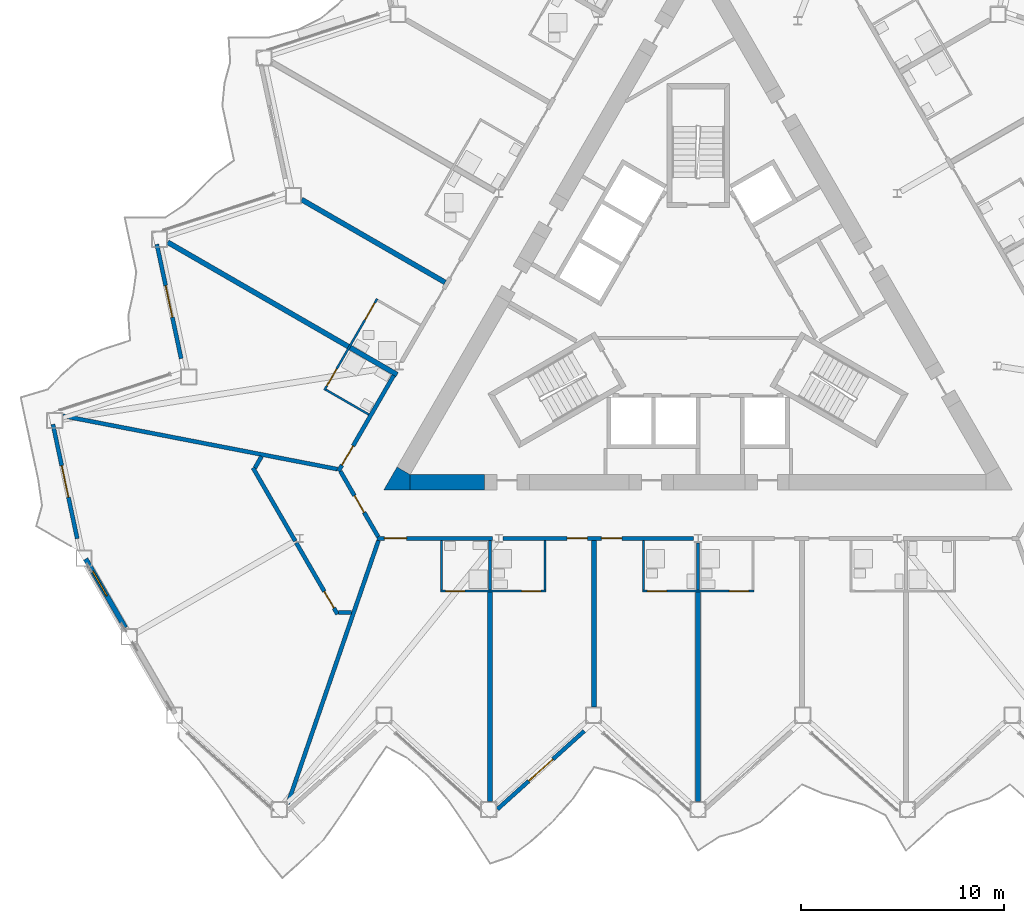
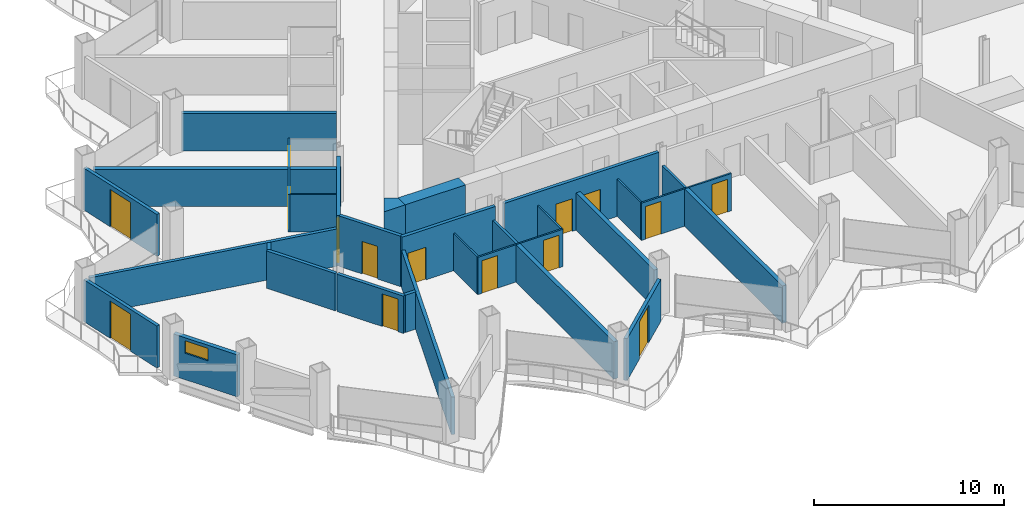
# One storey, part 10 of 23: 30 walls, 15 doors, 1 window, 16 openings.
"""IFC4 building model written with IfcOpenShell, lengths in metres."""

from ifc_helpers import new_model, si_unit, direction, frame, frame_2d, origin, place, context, subcontext, project, spatial, polyline, rectangle, outline, extrude, material, layer, layer_set, type_object, element, fill, save


model = new_model("IFC4")

# Units and contexts
model_context = context("Model", 3, precision=1e-05, world=origin(), true_north=direction((0.0, 1.0)))
body_context = subcontext(model_context, "Body", "Model", "MODEL_VIEW")
ifc_project = project(units=[si_unit("LENGTHUNIT", "METRE"), si_unit("AREAUNIT", "SQUARE_METRE"), si_unit("VOLUMEUNIT", "CUBIC_METRE"), si_unit("PLANEANGLEUNIT", "RADIAN"), si_unit("MASSUNIT", "GRAM", prefix="KILO")], contexts=[model_context])

# Site, building, storey
site_placement = place(None, origin())
site = spatial("IfcSite", under=ifc_project, at=site_placement, CompositionType="ELEMENT")
building_placement = place(site_placement, origin())
building = spatial("IfcBuilding", under=site, at=building_placement, Name="Cormorant Prow Tower", CompositionType="ELEMENT")
storey_placement = place(building_placement, frame((0.0, 0.0, 180.0)))
storey = spatial("IfcBuildingStorey", under=building, at=storey_placement, Name="L38", CompositionType="ELEMENT", Elevation=180.0)

# Walls
ifc_material_1 = material(Name="Concrete 8000 psi", Category="concrete")
ifc_layer_1 = layer(ifc_material_1, 0.75)
ifc_layer_set_1 = layer_set([ifc_layer_1], Name="Concrete 8000 psi")
wall_type_1 = type_object("IfcWallType", Name="Core shear wall 750", PredefinedType="SHEAR", material=ifc_layer_set_1)
wall_1_placement = place(storey_placement, frame((-14.200927734375, -8.573974609375, 0.0), z_axis=(0.0, 0.0, 1.0), x_axis=(1.0, 0.0, 0.0)))
element("IfcWall", 1, at=wall_1_placement, inside=storey, type_object=wall_type_1, Name="Core wall", PredefinedType="SHEAR", context=body_context, shape_type="SweptSolid", body=[
    extrude(rectangle(XDim=3.675537109375, YDim=0.75, at=frame_2d((1.837890625, 0.0))), origin(), (0.0, 0.0, 1.0), 3.25),
])
wall_2_placement = place(storey_placement, origin())
element("IfcWall", 2, at=wall_2_placement, inside=storey, type_object=wall_type_1, Name="Core wall corner", PredefinedType="SHEAR", context=body_context, shape_type="SweptSolid", body=[
    extrude(outline(polyline([(-14.8505859375, -7.823974609375), (-14.200927734375, -8.198974609375), (-14.200927734375, -8.948974609375), (-15.5, -8.948974609375), (-14.8505859375, -7.823974609375)])), origin(), (0.0, 0.0, 1.0), 3.25),
])

# Wall, openings, doors
ifc_material_2 = material(Name="Gypsum board corridor wall")
ifc_layer_2 = layer(ifc_material_2, 0.199951171875)
ifc_layer_set_2 = layer_set([ifc_layer_2], Name="Gypsum board corridor wall")
wall_type_2 = type_object("IfcWallType", Name="Corridor wall 200", PredefinedType="PARTITIONING", material=ifc_layer_set_2)
wall_3_placement = place(storey_placement, frame((-9.61474609375, -11.348876953125, 0.0), z_axis=(0.0, 0.0, 1.0), x_axis=(1.0, 0.0, 0.0)))
wall_3 = element("IfcWall", 3, at=wall_3_placement, inside=storey, type_object=wall_type_2, Name="Corridor wall", PredefinedType="PARTITIONING", context=body_context, shape_type="SweptSolid", body=[
    extrude(rectangle(XDim=9.401123046875, YDim=0.199951171875, at=frame_2d((4.70068359375, 0.0))), origin(), (0.0, 0.0, 1.0), 3.25),
])
opening_1_placement = place(wall_3_placement, frame((3.150390625, 0.0, 0.0)))
opening_1 = element("IfcOpeningElement", 4, at=opening_1_placement, cuts=wall_3, Name="Opening L38-F03", PredefinedType="OPENING", context=body_context, shape_type="SweptSolid", body=[
    extrude(rectangle(XDim=1.0, YDim=2.10009765625, at=frame_2d((0.5, 1.050048828125))), frame((0.0, 0.10986328125, 0.0), z_axis=(0.0, -1.0, 0.0), x_axis=(1.0, 0.0, 0.0)), (0.0, 0.0, 1.0), 0.219970703125),
])
opening_2_placement = place(wall_3_placement, frame((4.8505859375, 0.0, 0.0)))
opening_2 = element("IfcOpeningElement", 5, at=opening_2_placement, cuts=wall_3, Name="Opening L38-F05", PredefinedType="OPENING", context=body_context, shape_type="SweptSolid", body=[
    extrude(rectangle(XDim=1.0, YDim=2.10009765625, at=frame_2d((0.5, 1.050048828125))), frame((0.0, 0.10986328125, 0.0), z_axis=(0.0, -1.0, 0.0), x_axis=(1.0, 0.0, 0.0)), (0.0, 0.0, 1.0), 0.219970703125),
])
ifc_material_3 = material(Name="Timber door leaf", Category="wood")
door_type_1 = type_object("IfcDoorType", Name="Flat or room entrance door 1000x2100", OperationType="NOTDEFINED", PredefinedType="DOOR", material=ifc_material_3)
door_1_placement = place(opening_1_placement, origin())
door_1 = element("IfcDoor", 6, at=door_1_placement, inside=storey, type_object=door_type_1, Name="Guest room door", OperationType="SINGLE_SWING_RIGHT", OverallHeight=2.10009765625, OverallWidth=1.0, PredefinedType="DOOR", context=body_context, shape_type="SweptSolid", body=[
    extrude(rectangle(XDim=1.0, YDim=2.10009765625, at=frame_2d((0.5, 1.050048828125))), frame((0.0, 0.02490234375, 0.0), z_axis=(0.0, -1.0, 0.0), x_axis=(1.0, 0.0, 0.0)), (0.0, 0.0, 1.0), 0.050048828125),
])
fill(opening_1, door_1)
door_2_placement = place(opening_2_placement, origin())
door_2 = element("IfcDoor", 7, at=door_2_placement, inside=storey, type_object=door_type_1, Name="Guest room door", OperationType="SINGLE_SWING_LEFT", OverallHeight=2.10009765625, OverallWidth=1.0, PredefinedType="DOOR", context=body_context, shape_type="SweptSolid", body=[
    extrude(rectangle(XDim=1.0, YDim=2.10009765625, at=frame_2d((0.5, 1.050048828125))), frame((0.0, 0.02490234375, 0.0), z_axis=(0.0, -1.0, 0.0), x_axis=(1.0, 0.0, 0.0)), (0.0, 0.0, 1.0), 0.050048828125),
])
fill(opening_2, door_2)

# Wall, opening, door
wall_4_placement = place(storey_placement, frame((-15.830810546875, -11.348876953125, 0.0), z_axis=(0.0, 0.0, 1.0), x_axis=(1.0, 0.0, 0.0)))
wall_4 = element("IfcWall", 8, at=wall_4_placement, inside=storey, type_object=wall_type_2, Name="Corridor wall", PredefinedType="PARTITIONING", context=body_context, shape_type="SweptSolid", body=[
    extrude(rectangle(XDim=5.6865234375, YDim=0.199951171875, at=frame_2d((2.84326171875, 0.0))), origin(), (0.0, 0.0, 1.0), 3.25),
])
opening_3_placement = place(wall_4_placement, frame((0.35205078125, 0.0, 0.0)))
opening_3 = element("IfcOpeningElement", 9, at=opening_3_placement, cuts=wall_4, Name="Opening L38-F01", PredefinedType="OPENING", context=body_context, shape_type="SweptSolid", body=[
    extrude(rectangle(XDim=1.10009765625, YDim=2.10009765625, at=frame_2d((0.550048828125, 1.050048828125))), frame((0.0, 0.10986328125, 0.0), z_axis=(0.0, -1.0, 0.0), x_axis=(1.0, 0.0, 0.0)), (0.0, 0.0, 1.0), 0.219970703125),
])
ifc_material_4 = material(Name="Timber door leaf", Category="wood")
door_type_2 = type_object("IfcDoorType", Name="Suite entrance door 1100x2100", OperationType="NOTDEFINED", PredefinedType="DOOR", material=ifc_material_4)
door_3_placement = place(opening_3_placement, origin())
door_3 = element("IfcDoor", 10, at=door_3_placement, inside=storey, type_object=door_type_2, Name="Junior suite door", OperationType="SINGLE_SWING_LEFT", OverallHeight=2.10009765625, OverallWidth=1.10009765625, PredefinedType="DOOR", context=body_context, shape_type="SweptSolid", body=[
    extrude(rectangle(XDim=1.10009765625, YDim=2.10009765625, at=frame_2d((0.550048828125, 1.050048828125))), frame((0.0, 0.02490234375, 0.0), z_axis=(0.0, -1.0, 0.0), x_axis=(1.0, 0.0, 0.0)), (0.0, 0.0, 1.0), 0.050048828125),
])
fill(opening_3, door_3)

wall_5_placement = place(storey_placement, frame((-17.743896484375, -8.035400390625, 0.0), z_axis=(0.0, 0.0, 1.0), x_axis=(0.49998041698, 0.866036709751, 0.0)))
wall_5 = element("IfcWall", 11, at=wall_5_placement, inside=storey, type_object=wall_type_2, Name="Corridor wall", PredefinedType="PARTITIONING", context=body_context, shape_type="SweptSolid", body=[
    extrude(rectangle(XDim=5.461669921875, YDim=0.199951171875, at=frame_2d((2.73095703125, 0.0))), origin(), (0.0, 0.0, 1.0), 3.25),
])
opening_4_placement = place(wall_5_placement, frame((0.3515625, 0.0, 0.0)))
opening_4 = element("IfcOpeningElement", 12, at=opening_4_placement, cuts=wall_5, Name="Opening L38-F34", PredefinedType="OPENING", context=body_context, shape_type="SweptSolid", body=[
    extrude(rectangle(XDim=1.10009765625, YDim=2.10009765625, at=frame_2d((0.550048828125, 1.050048828125))), frame((0.0, 0.10986328125, 0.0), z_axis=(0.0, -1.0, 0.0), x_axis=(1.0, 0.0, 0.0)), (0.0, 0.0, 1.0), 0.219970703125),
])
door_4_placement = place(opening_4_placement, origin())
door_4 = element("IfcDoor", 13, at=door_4_placement, inside=storey, type_object=door_type_2, Name="Junior suite door", OperationType="SINGLE_SWING_LEFT", OverallHeight=2.10009765625, OverallWidth=1.10009765625, PredefinedType="DOOR", context=body_context, shape_type="SweptSolid", body=[
    extrude(rectangle(XDim=1.10009765625, YDim=2.10009765625, at=frame_2d((0.550048828125, 1.050048828125))), frame((0.0, 0.02490234375, 0.0), z_axis=(0.0, -1.0, 0.0), x_axis=(1.0, 0.0, 0.0)), (0.0, 0.0, 1.0), 0.050048828125),
])
fill(opening_4, door_4)

wall_6_placement = place(storey_placement, frame((-17.643798828125, -8.035400390625, 0.0), z_axis=(0.0, 0.0, 1.0), x_axis=(0.499958791762, -0.866049194065, 0.0)))
wall_6 = element("IfcWall", 14, at=wall_6_placement, inside=storey, type_object=wall_type_2, Name="Corridor wall", PredefinedType="PARTITIONING", context=body_context, shape_type="SweptSolid", body=[
    extrude(rectangle(XDim=3.725830078125, YDim=0.199951171875, at=frame_2d((1.86279296875, 0.0))), origin(), (0.0, 0.0, 1.0), 3.25),
])
opening_5_placement = place(wall_6_placement, frame((1.387939453125, 0.0, 0.0)))
opening_5 = element("IfcOpeningElement", 15, at=opening_5_placement, cuts=wall_6, Name="Opening L38-F36", PredefinedType="OPENING", context=body_context, shape_type="SweptSolid", body=[
    extrude(rectangle(XDim=0.949951171875, YDim=2.10009765625, at=frame_2d((0.47509765625, 1.050048828125))), frame((0.0, 0.10986328125, 0.0), z_axis=(0.0, -1.0, 0.0), x_axis=(1.0, 0.0, 0.0)), (0.0, 0.0, 1.0), 0.219970703125),
])
ifc_material_5 = material(Name="Timber door leaf", Category="wood")
door_type_3 = type_object("IfcDoorType", Name="Store door 950x2100", OperationType="NOTDEFINED", PredefinedType="DOOR", material=ifc_material_5)
door_5_placement = place(opening_5_placement, origin())
door_5 = element("IfcDoor", 16, at=door_5_placement, inside=storey, type_object=door_type_3, Name="Guest pantry door", OperationType="SINGLE_SWING_RIGHT", OverallHeight=2.10009765625, OverallWidth=0.949951171875, PredefinedType="DOOR", context=body_context, shape_type="SweptSolid", body=[
    extrude(rectangle(XDim=0.949951171875, YDim=2.10009765625, at=frame_2d((0.47509765625, 1.050048828125))), frame((0.0, 0.02490234375, 0.0), z_axis=(0.0, -1.0, 0.0), x_axis=(1.0, 0.0, 0.0)), (0.0, 0.0, 1.0), 0.050048828125),
])
fill(opening_5, door_5)

# Walls
ifc_material_6 = material(Name="Gypsum board demising wall")
ifc_layer_3 = layer(ifc_material_6, 0.199951171875)
ifc_layer_set_3 = layer_set([ifc_layer_3], Name="Gypsum board demising wall")
wall_type_3 = type_object("IfcWallType", Name="Demising wall 200", PredefinedType="PARTITIONING", material=ifc_layer_set_3)
wall_7_placement = place(storey_placement, frame((-31.3291015625, -5.303466796875, 0.0), z_axis=(0.0, 0.0, 1.0), x_axis=(0.981696755608, -0.190450728612, 0.0)))
element("IfcWall", 17, at=wall_7_placement, inside=storey, type_object=wall_type_3, Name="Demising wall", PredefinedType="PARTITIONING", context=body_context, shape_type="SweptSolid", body=[
    extrude(rectangle(XDim=13.78955078125, YDim=0.199951171875, at=frame_2d((6.894775390625, 0.0))), origin(), (0.0, 0.0, 1.0), 2.404296875),
])
wall_8_placement = place(storey_placement, frame((-20.248779296875, -24.455078125, 0.0), z_axis=(0.0, 0.0, 1.0), x_axis=(0.325902118519, 0.945403516571, 0.0)))
element("IfcWall", 18, at=wall_8_placement, inside=storey, type_object=wall_type_3, Name="Demising wall", PredefinedType="PARTITIONING", context=body_context, shape_type="SweptSolid", body=[
    extrude(rectangle(XDim=13.762939453125, YDim=0.199951171875, at=frame_2d((6.88134765625, 0.0))), origin(), (0.0, 0.0, 1.0), 2.404296875),
])
wall_9_placement = place(storey_placement, frame((-21.95849609375, -7.8623046875, 0.0), z_axis=(0.0, 0.0, 1.0), x_axis=(0.499987304225, -0.866032733569, 0.0)))
element("IfcWall", 19, at=wall_9_placement, inside=storey, type_object=wall_type_3, Name="Demising wall", PredefinedType="PARTITIONING", context=body_context, shape_type="SweptSolid", body=[
    extrude(rectangle(XDim=4.17578125, YDim=0.199951171875, at=frame_2d((2.087890625, 0.0))), origin(), (0.0, 0.0, 1.0), 2.404296875),
])

# Wall, opening, door
wall_10_placement = place(storey_placement, frame((-19.822265625, -11.5625, 0.0), z_axis=(0.0, 0.0, 1.0), x_axis=(0.499992600721, -0.866029675718, 0.0)))
wall_10 = element("IfcWall", 20, at=wall_10_placement, inside=storey, type_object=wall_type_3, Name="Demising wall", PredefinedType="PARTITIONING", context=body_context, shape_type="SweptSolid", body=[
    extrude(rectangle(XDim=4.06787109375, YDim=0.199951171875, at=frame_2d((2.033935546875, 0.0))), origin(), (0.0, 0.0, 1.0), 2.404296875),
])
opening_6_placement = place(wall_10_placement, frame((2.76708984375, 0.0, 0.0)))
opening_6 = element("IfcOpeningElement", 21, at=opening_6_placement, cuts=wall_10, Name="Opening L38-F37", PredefinedType="OPENING", context=body_context, shape_type="SweptSolid", body=[
    extrude(rectangle(XDim=0.949951171875, YDim=2.10009765625, at=frame_2d((0.47509765625, 1.050048828125))), frame((0.0, 0.10986328125, 0.0), z_axis=(0.0, -1.0, 0.0), x_axis=(1.0, 0.0, 0.0)), (0.0, 0.0, 1.0), 0.219970703125),
])
door_6_placement = place(opening_6_placement, origin())
door_6 = element("IfcDoor", 22, at=door_6_placement, inside=storey, type_object=door_type_3, Name="Luggage store door", OperationType="SINGLE_SWING_RIGHT", OverallHeight=2.10009765625, OverallWidth=0.949951171875, PredefinedType="DOOR", context=body_context, shape_type="SweptSolid", body=[
    extrude(rectangle(XDim=0.949951171875, YDim=2.10009765625, at=frame_2d((0.47509765625, 1.050048828125))), frame((0.0, 0.02490234375, 0.0), z_axis=(0.0, -1.0, 0.0), x_axis=(1.0, 0.0, 0.0)), (0.0, 0.0, 1.0), 0.050048828125),
])
fill(opening_6, door_6)

# Walls
for number, where, z_axis, x_axis, name in (
    (23, (-21.858642578125, -7.8623046875, 0.0), (0.0, 0.0, 1.0), (0.500102178127, 0.865966403178, 0.0), "Demising wall"),
    (24, (-17.73828125, -14.998779296875, 0.0), (0.0, 0.0, 1.0), (1.0, 0.0, 0.0), "Demising wall"),
):
    element("IfcWall", number, at=place(storey_placement, frame(where, z_axis=z_axis, x_axis=x_axis)), inside=storey, type_object=wall_type_3, Name=name, PredefinedType="PARTITIONING", context=body_context, shape_type="SweptSolid", body=[
        extrude(rectangle(XDim=0.649169921875, YDim=0.199951171875, at=frame_2d((0.32470703125, 0.0))), origin(), (0.0, 0.0, 1.0), 2.404296875),
    ])

# Wall, openings, doors
ifc_material_7 = material(Name="Gypsum board partition")
ifc_layer_4 = layer(ifc_material_7, 0.10009765625)
ifc_layer_set_4 = layer_set([ifc_layer_4], Name="Gypsum board partition")
wall_type_4 = type_object("IfcWallType", Name="Internal partition 100", PredefinedType="PARTITIONING", material=ifc_layer_set_4)
wall_11_placement = place(storey_placement, frame((-2.75, -13.948974609375, 0.0), z_axis=(0.0, 0.0, 1.0), x_axis=(1.0, 0.0, 0.0)))
wall_11 = element("IfcWall", 25, at=wall_11_placement, inside=storey, type_object=wall_type_4, Name="Internal partition", PredefinedType="PARTITIONING", context=body_context, shape_type="SweptSolid", body=[
    extrude(rectangle(XDim=5.5, YDim=0.10009765625, at=frame_2d((2.75, 0.0))), origin(), (0.0, 0.0, 1.0), 2.404296875),
])
opening_7_placement = place(wall_11_placement, frame((0.25, 0.0, 0.0)))
opening_7 = element("IfcOpeningElement", 26, at=opening_7_placement, cuts=wall_11, Name="Opening L38-F06", PredefinedType="OPENING", context=body_context, shape_type="SweptSolid", body=[
    extrude(rectangle(XDim=0.949951171875, YDim=2.10009765625, at=frame_2d((0.47509765625, 1.050048828125))), frame((0.0, 0.06005859375, 0.0), z_axis=(0.0, -1.0, 0.0), x_axis=(1.0, 0.0, 0.0)), (0.0, 0.0, 1.0), 0.1201171875),
])
opening_8_placement = place(wall_11_placement, frame((4.300048828125, 0.0, 0.0)))
opening_8 = element("IfcOpeningElement", 27, at=opening_8_placement, cuts=wall_11, Name="Opening L38-F08", PredefinedType="OPENING", context=body_context, shape_type="SweptSolid", body=[
    extrude(rectangle(XDim=0.949951171875, YDim=2.10009765625, at=frame_2d((0.47509765625, 1.050048828125))), frame((0.0, 0.06005859375, 0.0), z_axis=(0.0, -1.0, 0.0), x_axis=(1.0, 0.0, 0.0)), (0.0, 0.0, 1.0), 0.1201171875),
])
ifc_material_8 = material(Name="Timber door leaf", Category="wood")
door_type_4 = type_object("IfcDoorType", Name="Bathroom door 950x2100", OperationType="NOTDEFINED", PredefinedType="DOOR", material=ifc_material_8)
door_7_placement = place(opening_7_placement, origin())
door_7 = element("IfcDoor", 28, at=door_7_placement, inside=storey, type_object=door_type_4, Name="Guest room door", OperationType="SINGLE_SWING_LEFT", OverallHeight=2.10009765625, OverallWidth=0.949951171875, PredefinedType="DOOR", context=body_context, shape_type="SweptSolid", body=[
    extrude(rectangle(XDim=0.949951171875, YDim=2.10009765625, at=frame_2d((0.47509765625, 1.050048828125))), frame((0.0, 0.02490234375, 0.0), z_axis=(0.0, -1.0, 0.0), x_axis=(1.0, 0.0, 0.0)), (0.0, 0.0, 1.0), 0.050048828125),
])
fill(opening_7, door_7)
door_8_placement = place(opening_8_placement, origin())
door_8 = element("IfcDoor", 29, at=door_8_placement, inside=storey, type_object=door_type_4, Name="Guest room door", OperationType="SINGLE_SWING_RIGHT", OverallHeight=2.10009765625, OverallWidth=0.949951171875, PredefinedType="DOOR", context=body_context, shape_type="SweptSolid", body=[
    extrude(rectangle(XDim=0.949951171875, YDim=2.10009765625, at=frame_2d((0.47509765625, 1.050048828125))), frame((0.0, 0.02490234375, 0.0), z_axis=(0.0, -1.0, 0.0), x_axis=(1.0, 0.0, 0.0)), (0.0, 0.0, 1.0), 0.050048828125),
])
fill(opening_8, door_8)

wall_12_placement = place(storey_placement, frame((-12.7041015625, -13.948974609375, 0.0), z_axis=(0.0, 0.0, 1.0), x_axis=(1.0, 0.0, 0.0)))
wall_12 = element("IfcWall", 30, at=wall_12_placement, inside=storey, type_object=wall_type_4, Name="Internal partition", PredefinedType="PARTITIONING", context=body_context, shape_type="SweptSolid", body=[
    extrude(rectangle(XDim=5.199951171875, YDim=0.10009765625, at=frame_2d((2.60009765625, 0.0))), origin(), (0.0, 0.0, 1.0), 2.404296875),
])
opening_9_placement = place(wall_12_placement, frame((0.25, 0.0, 0.0)))
opening_9 = element("IfcOpeningElement", 31, at=opening_9_placement, cuts=wall_12, Name="Opening L38-F02", PredefinedType="OPENING", context=body_context, shape_type="SweptSolid", body=[
    extrude(rectangle(XDim=0.949951171875, YDim=2.10009765625, at=frame_2d((0.47509765625, 1.050048828125))), frame((0.0, 0.06005859375, 0.0), z_axis=(0.0, -1.0, 0.0), x_axis=(1.0, 0.0, 0.0)), (0.0, 0.0, 1.0), 0.1201171875),
])
opening_10_placement = place(wall_12_placement, frame((4.0, 0.0, 0.0)))
opening_10 = element("IfcOpeningElement", 32, at=opening_10_placement, cuts=wall_12, Name="Opening L38-F04", PredefinedType="OPENING", context=body_context, shape_type="SweptSolid", body=[
    extrude(rectangle(XDim=0.949951171875, YDim=2.10009765625, at=frame_2d((0.47509765625, 1.050048828125))), frame((0.0, 0.06005859375, 0.0), z_axis=(0.0, -1.0, 0.0), x_axis=(1.0, 0.0, 0.0)), (0.0, 0.0, 1.0), 0.1201171875),
])
door_9_placement = place(opening_9_placement, origin())
door_9 = element("IfcDoor", 33, at=door_9_placement, inside=storey, type_object=door_type_4, Name="Junior suite door", OperationType="SINGLE_SWING_LEFT", OverallHeight=2.10009765625, OverallWidth=0.949951171875, PredefinedType="DOOR", context=body_context, shape_type="SweptSolid", body=[
    extrude(rectangle(XDim=0.949951171875, YDim=2.10009765625, at=frame_2d((0.47509765625, 1.050048828125))), frame((0.0, 0.02490234375, 0.0), z_axis=(0.0, -1.0, 0.0), x_axis=(1.0, 0.0, 0.0)), (0.0, 0.0, 1.0), 0.050048828125),
])
fill(opening_9, door_9)
door_10_placement = place(opening_10_placement, origin())
door_10 = element("IfcDoor", 34, at=door_10_placement, inside=storey, type_object=door_type_4, Name="Guest room door", OperationType="SINGLE_SWING_RIGHT", OverallHeight=2.10009765625, OverallWidth=0.949951171875, PredefinedType="DOOR", context=body_context, shape_type="SweptSolid", body=[
    extrude(rectangle(XDim=0.949951171875, YDim=2.10009765625, at=frame_2d((0.47509765625, 1.050048828125))), frame((0.0, 0.02490234375, 0.0), z_axis=(0.0, -1.0, 0.0), x_axis=(1.0, 0.0, 0.0)), (0.0, 0.0, 1.0), 0.050048828125),
])
fill(opening_10, door_10)

wall_13_placement = place(storey_placement, frame((-18.43212890625, -4.027587890625, 0.0), z_axis=(0.0, 0.0, 1.0), x_axis=(0.499992051641, 0.866029992723, 0.0)))
wall_13 = element("IfcWall", 35, at=wall_13_placement, inside=storey, type_object=wall_type_4, Name="Internal partition", PredefinedType="PARTITIONING", context=body_context, shape_type="SweptSolid", body=[
    extrude(rectangle(XDim=5.19970703125, YDim=0.10009765625, at=frame_2d((2.599853515625, 0.0))), origin(), (0.0, 0.0, 1.0), 2.404296875),
])
opening_11_placement = place(wall_13_placement, frame((4.0, 0.0, 0.0)))
opening_11 = element("IfcOpeningElement", 36, at=opening_11_placement, cuts=wall_13, Name="Opening L38-F33", PredefinedType="OPENING", context=body_context, shape_type="SweptSolid", body=[
    extrude(rectangle(XDim=0.949951171875, YDim=2.10009765625, at=frame_2d((0.47509765625, 1.050048828125))), frame((0.0, 0.06005859375, 0.0), z_axis=(0.0, -1.0, 0.0), x_axis=(1.0, 0.0, 0.0)), (0.0, 0.0, 1.0), 0.1201171875),
])
opening_12_placement = place(wall_13_placement, frame((0.25, 0.0, 0.0)))
opening_12 = element("IfcOpeningElement", 37, at=opening_12_placement, cuts=wall_13, Name="Opening L38-F35", PredefinedType="OPENING", context=body_context, shape_type="SweptSolid", body=[
    extrude(rectangle(XDim=0.949951171875, YDim=2.10009765625, at=frame_2d((0.47509765625, 1.050048828125))), frame((0.0, 0.06005859375, 0.0), z_axis=(0.0, -1.0, 0.0), x_axis=(1.0, 0.0, 0.0)), (0.0, 0.0, 1.0), 0.1201171875),
])
door_11_placement = place(opening_11_placement, origin())
door_11 = element("IfcDoor", 38, at=door_11_placement, inside=storey, type_object=door_type_4, Name="Guest room door", OperationType="SINGLE_SWING_RIGHT", OverallHeight=2.10009765625, OverallWidth=0.949951171875, PredefinedType="DOOR", context=body_context, shape_type="SweptSolid", body=[
    extrude(rectangle(XDim=0.949951171875, YDim=2.10009765625, at=frame_2d((0.47509765625, 1.050048828125))), frame((0.0, 0.02490234375, 0.0), z_axis=(0.0, -1.0, 0.0), x_axis=(1.0, 0.0, 0.0)), (0.0, 0.0, 1.0), 0.050048828125),
])
fill(opening_11, door_11)
door_12_placement = place(opening_12_placement, origin())
door_12 = element("IfcDoor", 39, at=door_12_placement, inside=storey, type_object=door_type_4, Name="Junior suite door", OperationType="SINGLE_SWING_LEFT", OverallHeight=2.10009765625, OverallWidth=0.949951171875, PredefinedType="DOOR", context=body_context, shape_type="SweptSolid", body=[
    extrude(rectangle(XDim=0.949951171875, YDim=2.10009765625, at=frame_2d((0.47509765625, 1.050048828125))), frame((0.0, 0.02490234375, 0.0), z_axis=(0.0, -1.0, 0.0), x_axis=(1.0, 0.0, 0.0)), (0.0, 0.0, 1.0), 0.050048828125),
])
fill(opening_12, door_12)

# Walls
for number, where, z_axis, x_axis, name in (
    (40, (-18.364013671875, -4.009521484375, 0.0), (0.0, 0.0, 1.0), (0.866057815567, -0.499943856944, 0.0), "Internal partition"),
    (41, (-12.654296875, -13.89892578125, 0.0), (0.0, 0.0, 1.0), (0.0, 1.0, 0.0), "Internal partition"),
    (42, (-7.55419921875, -13.89892578125, 0.0), (0.0, 0.0, 1.0), (0.0, 1.0, 0.0), "Internal partition"),
    (43, (-2.699951171875, -13.89892578125, 0.0), (0.0, 0.0, 1.0), (0.0, 1.0, 0.0), "Internal partition"),
):
    element("IfcWall", number, at=place(storey_placement, frame(where, z_axis=z_axis, x_axis=x_axis)), inside=storey, type_object=wall_type_4, Name=name, PredefinedType="PARTITIONING", context=body_context, shape_type="SweptSolid", body=[
        extrude(rectangle(XDim=2.449951171875, YDim=0.10009765625, at=frame_2d((1.22509765625, 0.0))), origin(), (0.0, 0.0, 1.0), 2.404296875),
    ])
ifc_material_9 = material(Name="Acoustic gypsum party wall")
ifc_layer_5 = layer(ifc_material_9, 0.25)
ifc_layer_set_5 = layer_set([ifc_layer_5], Name="Acoustic gypsum party wall")
wall_type_5 = type_object("IfcWallType", Name="Suite party wall 250", PredefinedType="PARTITIONING", material=ifc_layer_set_5)
wall_14_placement = place(storey_placement, frame((-26.164306640625, 3.265380859375, 0.0), z_axis=(0.0, 0.0, 1.0), x_axis=(0.866021313335, -0.500007084799, 0.0)))
element("IfcWall", 44, at=wall_14_placement, inside=storey, type_object=wall_type_5, Name="Suite party wall", PredefinedType="PARTITIONING", context=body_context, shape_type="SweptSolid", body=[
    extrude(rectangle(XDim=13.067626953125, YDim=0.25, at=frame_2d((6.53369140625, 0.0))), origin(), (0.0, 0.0, 1.0), 2.404296875),
])
for number, where, z_axis, x_axis, name in (
    (45, (-10.254150390625, -24.3115234375, 0.0), (0.0, 0.0, 1.0), (0.0, 1.0, 0.0), "Suite party wall"),
    (46, (0.0, -24.3115234375, 0.0), (0.0, 0.0, 1.0), (0.0, 1.0, 0.0), "Suite party wall"),
):
    element("IfcWall", number, at=place(storey_placement, frame(where, z_axis=z_axis, x_axis=x_axis)), inside=storey, type_object=wall_type_5, Name=name, PredefinedType="PARTITIONING", context=body_context, shape_type="SweptSolid", body=[
        extrude(rectangle(XDim=10.312744140625, YDim=0.25, at=frame_2d((5.15625, 0.0))), origin(), (0.0, 0.0, 1.0), 2.404296875),
    ])
wall_15_placement = place(storey_placement, frame((-5.127197265625, -19.661376953125, 0.0), z_axis=(0.0, 0.0, 1.0), x_axis=(0.0, 1.0, 0.0)))
element("IfcWall", 47, at=wall_15_placement, inside=storey, type_object=wall_type_5, Name="Suite party wall", PredefinedType="PARTITIONING", context=body_context, shape_type="SweptSolid", body=[
    extrude(rectangle(XDim=8.21240234375, YDim=0.25, at=frame_2d((4.106201171875, 0.0))), origin(), (0.0, 0.0, 1.0), 2.404296875),
])
wall_16_placement = place(storey_placement, frame((-19.5546875, 5.36962890625, 0.0), z_axis=(0.0, 0.0, 1.0), x_axis=(0.866024371346, -0.500001788232, 0.0)))
element("IfcWall", 48, at=wall_16_placement, inside=storey, type_object=wall_type_5, Name="Suite party wall", PredefinedType="PARTITIONING", context=body_context, shape_type="SweptSolid", body=[
    extrude(rectangle(XDim=8.1708984375, YDim=0.25, at=frame_2d((4.08544921875, 0.0))), origin(), (0.0, 0.0, 1.0), 2.404296875),
])

# Wall, opening, window
ifc_material_10 = material(Name="Terracotta", Category="masonry")
ifc_layer_6 = layer(ifc_material_10, 0.25)
ifc_layer_set_6 = layer_set([ifc_layer_6], Name="Terracotta")
wall_type_6 = type_object("IfcWallType", Name="Terracotta bay wall 250", PredefinedType="SOLIDWALL", material=ifc_layer_set_6)
wall_17_placement = place(storey_placement, frame((-30.215087890625, -12.359619140625, 0.0), z_axis=(0.0, 0.0, 1.0), x_axis=(0.499995984904, -0.866027721889, 0.0)))
wall_17 = element("IfcWall", 49, at=wall_17_placement, inside=storey, type_object=wall_type_6, Name="Terracotta bay wall WSW00", PredefinedType="SOLIDWALL", context=body_context, shape_type="SweptSolid", body=[
    extrude(rectangle(XDim=3.91455078125, YDim=0.25, at=frame_2d((1.957275390625, 0.0))), origin(), (0.0, 0.0, 1.0), 2.700927734375),
])
opening_13_placement = place(wall_17_placement, frame((0.699951171875, 0.0, 1.699951171875)))
opening_13 = element("IfcOpeningElement", 50, at=opening_13_placement, cuts=wall_17, Name="Opening WN3", PredefinedType="OPENING", context=body_context, shape_type="SweptSolid", body=[
    extrude(rectangle(XDim=1.39990234375, YDim=0.800048828125, at=frame_2d((0.699951171875, 0.39990234375))), frame((0.0, 0.135009765625, 0.0), z_axis=(0.0, -1.0, 0.0), x_axis=(1.0, 0.0, 0.0)), (0.0, 0.0, 1.0), 0.27001953125),
])
ifc_material_11 = material(Name="Aluminium 6063-T6", Category="aluminium")
window_type = type_object("IfcWindowType", Name="Corner bay window 1400x800", PartitioningType="SINGLE_PANEL", PredefinedType="WINDOW", material=ifc_material_11)
window_placement = place(opening_13_placement, origin())
window = element("IfcWindow", 51, at=window_placement, inside=storey, type_object=window_type, Name="Corner bay window WSW00", OverallHeight=0.800048828125, OverallWidth=1.39990234375, PartitioningType="SINGLE_PANEL", PredefinedType="WINDOW", context=body_context, shape_type="SweptSolid", body=[
    extrude(rectangle(XDim=1.39990234375, YDim=0.800048828125, at=frame_2d((0.699951171875, 0.39990234375))), frame((0.0, 0.030029296875, 0.0), z_axis=(0.0, -1.0, 0.0), x_axis=(1.0, 0.0, 0.0)), (0.0, 0.0, 1.0), 0.06005859375),
])
fill(opening_13, window)

# Wall, opening, door
ifc_material_12 = material(Name="Terracotta", Category="masonry")
ifc_layer_7 = layer(ifc_material_12, 0.199951171875)
ifc_layer_set_7 = layer_set([ifc_layer_7], Name="Terracotta")
wall_type_7 = type_object("IfcWallType", Name="Terracotta jamb wall 200", PredefinedType="SOLIDWALL", material=ifc_layer_set_7)
wall_18_placement = place(storey_placement, frame((-9.89892578125, -24.703857421875, 0.0), z_axis=(0.0, 0.0, 1.0), x_axis=(0.74312139518, 0.669156627424, 0.0)))
wall_18 = element("IfcWall", 52, at=wall_18_placement, inside=storey, type_object=wall_type_7, Name="Terracotta jamb wall S03", PredefinedType="SOLIDWALL", context=body_context, shape_type="SweptSolid", body=[
    extrude(rectangle(XDim=5.76318359375, YDim=0.199951171875, at=frame_2d((2.881591796875, 0.0))), origin(), (0.0, 0.0, 1.0), 2.700927734375),
])
opening_14_placement = place(wall_18_placement, frame((2.08154296875, 0.0, 0.0)))
opening_14 = element("IfcOpeningElement", 53, at=opening_14_placement, cuts=wall_18, Name="Opening ED38.02", PredefinedType="OPENING", context=body_context, shape_type="SweptSolid", body=[
    extrude(rectangle(XDim=1.60009765625, YDim=2.39990234375, at=frame_2d((0.800048828125, 1.199951171875))), frame((0.0, 0.10986328125, 0.0), z_axis=(0.0, -1.0, 0.0), x_axis=(1.0, 0.0, 0.0)), (0.0, 0.0, 1.0), 0.219970703125),
])
ifc_material_13 = material(Name="Aluminium 6063-T6", Category="aluminium")
door_type_5 = type_object("IfcDoorType", Name="Balcony door 1600x2400", OperationType="DOUBLE_DOOR_SINGLE_SWING", PredefinedType="DOOR", material=ifc_material_13)
door_13_placement = place(opening_14_placement, origin())
door_13 = element("IfcDoor", 54, at=door_13_placement, inside=storey, type_object=door_type_5, Name="Balcony door S03 ED38.02", OperationType="DOUBLE_DOOR_SINGLE_SWING", OverallHeight=2.39990234375, OverallWidth=1.60009765625, PredefinedType="DOOR", context=body_context, shape_type="SweptSolid", body=[
    extrude(rectangle(XDim=1.60009765625, YDim=2.39990234375, at=frame_2d((0.800048828125, 1.199951171875))), frame((0.0, 0.02490234375, 0.0), z_axis=(0.0, -1.0, 0.0), x_axis=(1.0, 0.0, 0.0)), (0.0, 0.0, 1.0), 0.050048828125),
])
fill(opening_14, door_13)

wall_19_placement = place(storey_placement, frame((-26.69873046875, 3.163818359375, 0.0), z_axis=(0.0, 0.0, 1.0), x_axis=(0.207914487103, -0.978147006361, 0.0)))
wall_19 = element("IfcWall", 55, at=wall_19_placement, inside=storey, type_object=wall_type_7, Name="Terracotta jamb wall WNW07", PredefinedType="SOLIDWALL", context=body_context, shape_type="SweptSolid", body=[
    extrude(rectangle(XDim=5.76318359375, YDim=0.199951171875, at=frame_2d((2.881591796875, 0.0))), origin(), (0.0, 0.0, 1.0), 2.700927734375),
])
opening_15_placement = place(wall_19_placement, frame((2.08154296875, 0.0, 0.0)))
opening_15 = element("IfcOpeningElement", 56, at=opening_15_placement, cuts=wall_19, Name="Opening ED38.14", PredefinedType="OPENING", context=body_context, shape_type="SweptSolid", body=[
    extrude(rectangle(XDim=1.60009765625, YDim=2.39990234375, at=frame_2d((0.800048828125, 1.199951171875))), frame((0.0, 0.10986328125, 0.0), z_axis=(0.0, -1.0, 0.0), x_axis=(1.0, 0.0, 0.0)), (0.0, 0.0, 1.0), 0.219970703125),
])
door_14_placement = place(opening_15_placement, origin())
door_14 = element("IfcDoor", 57, at=door_14_placement, inside=storey, type_object=door_type_5, Name="Balcony door WNW07 ED38.14", OperationType="DOUBLE_DOOR_SINGLE_SWING", OverallHeight=2.39990234375, OverallWidth=1.60009765625, PredefinedType="DOOR", context=body_context, shape_type="SweptSolid", body=[
    extrude(rectangle(XDim=1.60009765625, YDim=2.39990234375, at=frame_2d((0.800048828125, 1.199951171875))), frame((0.0, 0.02490234375, 0.0), z_axis=(0.0, -1.0, 0.0), x_axis=(1.0, 0.0, 0.0)), (0.0, 0.0, 1.0), 0.050048828125),
])
fill(opening_15, door_14)

wall_20_placement = place(storey_placement, frame((-31.825927734375, -5.716552734375, 0.0), z_axis=(0.0, 0.0, 1.0), x_axis=(0.207914487103, -0.978147006361, 0.0)))
wall_20 = element("IfcWall", 58, at=wall_20_placement, inside=storey, type_object=wall_type_7, Name="Terracotta jamb wall WNW09", PredefinedType="SOLIDWALL", context=body_context, shape_type="SweptSolid", body=[
    extrude(rectangle(XDim=5.76318359375, YDim=0.199951171875, at=frame_2d((2.881591796875, 0.0))), origin(), (0.0, 0.0, 1.0), 2.700927734375),
])
opening_16_placement = place(wall_20_placement, frame((2.08154296875, 0.0, 0.0)))
opening_16 = element("IfcOpeningElement", 59, at=opening_16_placement, cuts=wall_20, Name="Opening ED38.15", PredefinedType="OPENING", context=body_context, shape_type="SweptSolid", body=[
    extrude(rectangle(XDim=1.60009765625, YDim=2.39990234375, at=frame_2d((0.800048828125, 1.199951171875))), frame((0.0, 0.10986328125, 0.0), z_axis=(0.0, -1.0, 0.0), x_axis=(1.0, 0.0, 0.0)), (0.0, 0.0, 1.0), 0.219970703125),
])
door_15_placement = place(opening_16_placement, origin())
door_15 = element("IfcDoor", 60, at=door_15_placement, inside=storey, type_object=door_type_5, Name="Balcony door WNW09 ED38.15", OperationType="DOUBLE_DOOR_SINGLE_SWING", OverallHeight=2.39990234375, OverallWidth=1.60009765625, PredefinedType="DOOR", context=body_context, shape_type="SweptSolid", body=[
    extrude(rectangle(XDim=1.60009765625, YDim=2.39990234375, at=frame_2d((0.800048828125, 1.199951171875))), frame((0.0, 0.02490234375, 0.0), z_axis=(0.0, -1.0, 0.0), x_axis=(1.0, 0.0, 0.0)), (0.0, 0.0, 1.0), 0.050048828125),
])
fill(opening_16, door_15)

# Walls
ifc_material_14 = material(Name="Plasterboard wet wall with pipe chase")
ifc_layer_8 = layer(ifc_material_14, 0.14990234375)
ifc_layer_set_8 = layer_set([ifc_layer_8], Name="Plasterboard wet wall with pipe chase")
wall_type_8 = type_object("IfcWallType", Name="Wet wall 150", PredefinedType="PLUMBINGWALL", material=ifc_layer_set_8)
wall_21_placement = place(storey_placement, frame((-10.254150390625, -13.89892578125, 0.0), z_axis=(0.0, 0.0, 1.0), x_axis=(0.0, 1.0, 0.0)))
element("IfcWall", 61, at=wall_21_placement, inside=storey, type_object=wall_type_8, Name="Wet wall", PredefinedType="PLUMBINGWALL", context=body_context, shape_type="SweptSolid", body=[
    extrude(rectangle(XDim=2.449951171875, YDim=0.14990234375, at=frame_2d((1.22509765625, 0.0))), origin(), (0.0, 0.0, 1.0), 2.404296875),
])
wall_22_placement = place(storey_placement, frame((0.0, -13.89892578125, 0.0), z_axis=(0.0, 0.0, 1.0), x_axis=(0.0, 1.0, 0.0)))
element("IfcWall", 62, at=wall_22_placement, inside=storey, type_object=wall_type_8, Name="Wet wall", PredefinedType="PLUMBINGWALL", context=body_context, shape_type="SweptSolid", body=[
    extrude(rectangle(XDim=2.33642578125, YDim=0.14990234375, at=frame_2d((1.168212890625, 0.0))), origin(), (0.0, 0.0, 1.0), 2.404296875),
])

save(model, "model.ifc")
